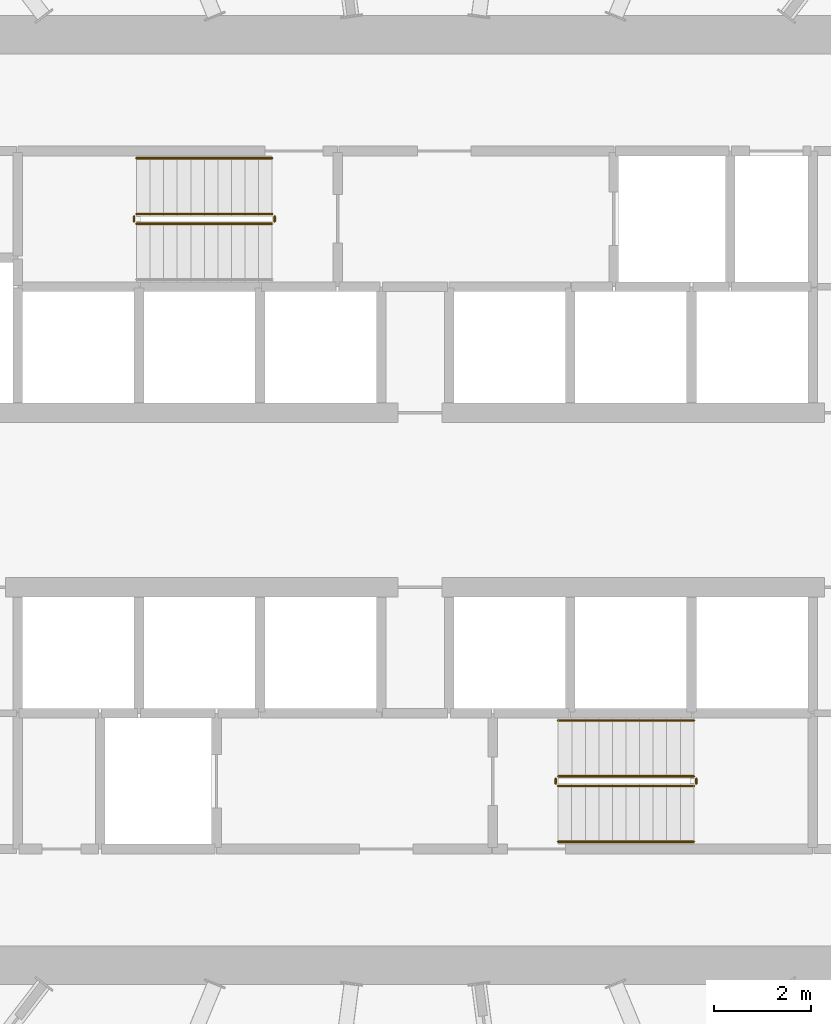
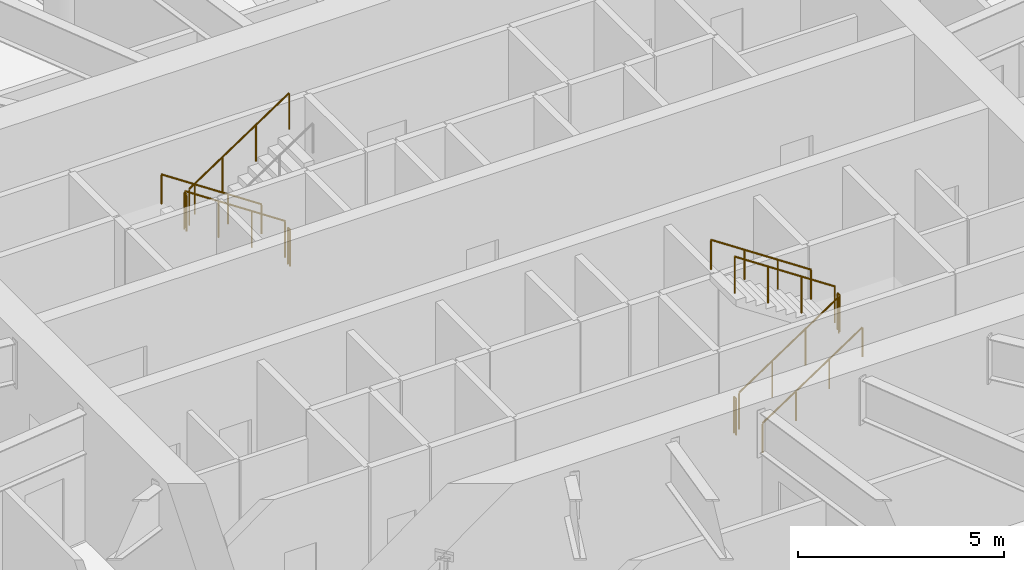
# One storey, part 32 of 33: 11 railings.
"""IFC4 building model written with IfcOpenShell, lengths in metres."""

import ifcopenshell
import ifcopenshell.guid

model = None  # the IFC model being written
_history = None  # IfcOwnerHistory: only IFC2X3 demands one
_inside = {}  # id of a spatial element -> (the spatial element, [elements in it])
_under = {}  # id of a project, library or spatial element -> (it, [spatial elements below it])
_declared = {}  # id of a project -> (the project, [libraries it declares])
_typed = {}  # id of a type object -> (the type object, [elements of that type])
_made_of = {}  # id of a material, layer set ... -> (it, [elements and type objects made of it])


def new_model(schema):
    """Start an empty IFC model of exactly this schema.

    Asked for "IFC4X3", IfcOpenShell would pick the latest addendum, in which some entities
    have other attributes; the version numbers below select the first issue.
    IFC2X3 requires an IfcOwnerHistory on every rooted entity: one is made here for all.
    """
    global model, _history
    if schema == "IFC4X3":
        model = ifcopenshell.file(schema_version=(4, 3, 0, 0))
    else:
        model = ifcopenshell.file(schema=schema)
    _inside.clear()
    _under.clear()
    _declared.clear()
    _typed.clear()
    _made_of.clear()
    _history = None
    if model.schema == "IFC2X3":
        org = make("IfcOrganization", Name="unknown")
        user = make(
            "IfcPersonAndOrganization",
            ThePerson=make("IfcPerson", FamilyName="unknown"),
            TheOrganization=org,
        )
        app = make(
            "IfcApplication",
            ApplicationDeveloper=org,
            Version="unknown",
            ApplicationFullName="unknown",
            ApplicationIdentifier="unknown",
        )
        _history = make(
            "IfcOwnerHistory",
            OwningUser=user,
            OwningApplication=app,
            ChangeAction="ADDED",
            CreationDate=0,
        )
    return model


def make(cls, **values):
    """One entity of the class cls with the attributes given. An attribute that is None is left unset."""
    return model.create_entity(
        cls, **{name: value for name, value in values.items() if value is not None}
    )


def rooted(cls, **values):
    """An entity with a GlobalId (a new one), such as an element, a storey or a relation."""
    return make(cls, GlobalId=ifcopenshell.guid.new(), OwnerHistory=_history, **values)


def si_unit(unit_type, name, prefix=None):
    """IfcSIUnit, for example si_unit("LENGTHUNIT", "METRE", prefix="MILLI")."""
    return make("IfcSIUnit", UnitType=unit_type, Prefix=prefix, Name=name)


def assignment(units):
    """IfcUnitAssignment: the units of a project."""
    return None if units is None else make("IfcUnitAssignment", Units=units)


def point(xyz):
    """IfcCartesianPoint."""
    return None if xyz is None else make("IfcCartesianPoint", Coordinates=xyz)


def direction(xyz):
    """IfcDirection."""
    return None if xyz is None else make("IfcDirection", DirectionRatios=xyz)


def frame(location, z_axis=None, x_axis=None):
    """IfcAxis2Placement3D, a coordinate frame: its origin and axes. An axis left out is left unset."""
    return make(
        "IfcAxis2Placement3D",
        Location=point(location),
        Axis=direction(z_axis),
        RefDirection=direction(x_axis),
    )


def frame_2d(location, x_axis=None):
    """IfcAxis2Placement2D, a coordinate frame in the plane: its origin and x axis."""
    return make(
        "IfcAxis2Placement2D", Location=point(location), RefDirection=direction(x_axis)
    )


def origin():
    """The frame at (0, 0, 0) with its axes left unset."""
    return frame((0.0, 0.0, 0.0))


def origin_2d():
    """The frame at (0, 0) in the plane with its x axis left unset."""
    return frame_2d((0.0, 0.0))


def place(relative_to, where):
    """IfcLocalPlacement: puts the frame where relative to a parent placement (None: the world)."""
    return make(
        "IfcLocalPlacement", PlacementRelTo=relative_to, RelativePlacement=where
    )


def context(
    kind, dimensions, precision=None, world=None, true_north=None, identifier=None
):
    """IfcGeometricRepresentationContext, for example the 3D "Model" context."""
    return make(
        "IfcGeometricRepresentationContext",
        ContextIdentifier=identifier,
        ContextType=kind,
        CoordinateSpaceDimension=dimensions,
        Precision=precision,
        WorldCoordinateSystem=world,
        TrueNorth=true_north,
    )


def subcontext(parent, identifier, kind, view, scale=None):
    """IfcGeometricRepresentationSubContext, for example "Body" below "Model"."""
    return make(
        "IfcGeometricRepresentationSubContext",
        ContextIdentifier=identifier,
        ContextType=kind,
        ParentContext=parent,
        TargetScale=scale,
        TargetView=view,
    )


def project(units=None, contexts=None):
    """IfcProject with its units and contexts."""
    return rooted(
        "IfcProject",
        Name="project",
        RepresentationContexts=contexts,
        UnitsInContext=assignment(units),
    )


def spatial(cls, under=None, at=None, **own):
    """A site, building, storey or space (cls), placed at a placement, below another one or the project."""
    s = rooted(cls, ObjectPlacement=at, **own)
    if under is not None:
        _under.setdefault(under.id(), (under, []))[1].append(s)
    return s


def profile(cls, at=None, kind="AREA", **sizes):
    """A parametric profile (cls). Its sizes go by their IFC names, for example OverallWidth=200.0."""
    return make(cls, ProfileType=kind, Position=at, **sizes)


def circle(**sizes):
    """IfcCircleProfileDef."""
    return profile("IfcCircleProfileDef", **sizes)


def extrude(swept, where, along, depth):
    """IfcExtrudedAreaSolid: the profile swept, set in the frame where, extruded along a direction by depth."""
    return make(
        "IfcExtrudedAreaSolid",
        SweptArea=swept,
        Position=where,
        ExtrudedDirection=direction(along),
        Depth=depth,
    )


def shape(context_of_items, identifier, shape_type, items):
    """IfcShapeRepresentation: the items that make up one representation, for example the "Body"."""
    return make(
        "IfcShapeRepresentation",
        ContextOfItems=context_of_items,
        RepresentationIdentifier=identifier,
        RepresentationType=shape_type,
        Items=items,
    )


def material(Name=None, Category=None):
    """IfcMaterial."""
    return make("IfcMaterial", Name=Name, Category=Category)


def made_of(thing, what):
    """Note that an element or type object is made of a material, layer set ...; save() writes the relation."""
    if what is not None:
        _made_of.setdefault(what.id(), (what, []))[1].append(thing)
    return thing


def type_object(cls, material=None, **own):
    """A type object (cls), such as IfcWallType, which elements share."""
    return made_of(rooted(cls, **own), material)


def element(
    cls,
    number,
    at=None,
    inside=None,
    cuts=None,
    type_object=None,
    material=None,
    context=None,
    identifier="Body",
    shape_type=None,
    held_by="IfcProductDefinitionShape",
    body=None,
    shapes=None,
    **own,
):
    """One element of the class cls, such as IfcWall. Its Tag is "e" and its number.

    at: its placement. inside: the storey or other place that contains it. cuts: it is an
    opening in that element (IfcRelVoidsElement). A single representation is given by context,
    identifier, shape_type and body (its items); several are given by shapes. held_by: the class
    of the entity that holds the representations. save() writes the other relations.
    """
    e = rooted(cls, Tag="e%d" % number, ObjectPlacement=at, **own)
    if body is not None:
        shapes = [shape(context, identifier, shape_type, body)]
    if shapes is not None:
        e.Representation = make(held_by, Representations=shapes)
    if inside is not None:
        _inside.setdefault(inside.id(), (inside, []))[1].append(e)
    if cuts is not None:
        rooted(
            "IfcRelVoidsElement", RelatingBuildingElement=cuts, RelatedOpeningElement=e
        )
    if type_object is not None:
        _typed.setdefault(type_object.id(), (type_object, []))[1].append(e)
    return made_of(e, material)


def aggregate(whole, parts):
    """IfcRelAggregates: a whole, such as a stair, and the parts it consists of."""
    return rooted("IfcRelAggregates", RelatingObject=whole, RelatedObjects=parts)


def save(model, path):
    """Write the relations noted so far, then the file.

    IfcRelAggregates (storeys below a building ...), IfcRelContainedInSpatialStructure (elements
    in a storey), IfcRelDefinesByType, IfcRelAssociatesMaterial and IfcRelDeclares: one each for
    every whole, place, type object, material and project.
    """
    for whole, parts in _under.values():
        aggregate(whole, parts)
    for where, things in _inside.values():
        rooted(
            "IfcRelContainedInSpatialStructure",
            RelatedElements=things,
            RelatingStructure=where,
        )
    for kind, things in _typed.values():
        rooted("IfcRelDefinesByType", RelatedObjects=things, RelatingType=kind)
    for what, things in _made_of.values():
        rooted("IfcRelAssociatesMaterial", RelatedObjects=things, RelatingMaterial=what)
    for by, libraries in _declared.values():
        rooted("IfcRelDeclares", RelatingContext=by, RelatedDefinitions=libraries)
    model.write(path)


model = new_model("IFC4")

# Units and contexts
model_context = context("Model", 3, precision=1e-05, world=origin(), true_north=direction((0.0, 1.0)))
body_context = subcontext(model_context, "Body", "Model", "MODEL_VIEW")
ifc_project = project(units=[si_unit("LENGTHUNIT", "METRE"), si_unit("AREAUNIT", "SQUARE_METRE"), si_unit("VOLUMEUNIT", "CUBIC_METRE"), si_unit("PLANEANGLEUNIT", "RADIAN"), si_unit("MASSUNIT", "GRAM", prefix="KILO")], contexts=[model_context])

# Site, building, storey
site_placement = place(None, origin())
site = spatial("IfcSite", under=ifc_project, at=site_placement, CompositionType="ELEMENT")
building_placement = place(site_placement, origin())
building = spatial("IfcBuilding", under=site, at=building_placement, Name="Spindrift Exchange Tower", CompositionType="ELEMENT")
storey_placement = place(building_placement, frame((0.0, 0.0, 129.0)))
storey = spatial("IfcBuildingStorey", under=building, at=storey_placement, Name="L30", CompositionType="ELEMENT", Elevation=129.0)

# Railings
ifc_material_1 = material(Name="Steel balustrade", Category="steel")
railing_type_1 = type_object("IfcRailingType", Name="RL-STAIR-GUARD", PredefinedType="GUARDRAIL", material=ifc_material_1)
railing_1_placement = place(storey_placement, frame((49.050048828125, 53.89990234375, 0.186279296875)))
element("IfcRailing", 1, at=railing_1_placement, inside=storey, type_object=railing_type_1, Name="L30 ST1 stair guard 1", PredefinedType="GUARDRAIL", context=body_context, shape_type="SweptSolid", body=[
    extrude(circle(Radius=0.02392578125, at=origin_2d()), frame((0.0, 0.0, 1.076171875), z_axis=(-0.832452072856, 0.0, 0.554097055034), x_axis=(0.0, -1.0, 0.0)), (0.0, 0.0, 1.0), 3.363525390625),
    extrude(circle(Radius=0.02099609375, at=origin_2d()), origin(), (0.0, 0.0, 1.0), 1.052001953125),
    extrude(circle(Radius=0.02099609375, at=origin_2d()), frame((-0.933349609375, 0.0, 0.621337890625)), (0.0, 0.0, 1.0), 1.052001953125),
    extrude(circle(Radius=0.02099609375, at=origin_2d()), frame((-1.86669921875, 0.0, 1.242431640625)), (0.0, 0.0, 1.0), 1.052001953125),
    extrude(circle(Radius=0.02099609375, at=origin_2d()), frame((-2.800048828125, 0.0, 1.86376953125)), (0.0, 0.0, 1.0), 1.052001953125),
])
railing_2_placement = place(storey_placement, frame((46.199951171875, 53.85009765625, 2.050048828125)))
element("IfcRailing", 2, at=railing_2_placement, inside=storey, type_object=railing_type_1, Name="L30 ST1 stair guard 2", PredefinedType="GUARDRAIL", context=body_context, shape_type="SweptSolid", body=[
    extrude(circle(Radius=0.02392578125, at=origin_2d()), frame((0.0, 0.0, 1.076171875), z_axis=(0.0, -1.0, 0.0), x_axis=(1.0, 0.0, 0.0)), (0.0, 0.0, 1.0), 0.10009765625),
    extrude(circle(Radius=0.02099609375, at=origin_2d()), origin(), (0.0, 0.0, 1.0), 1.052001953125),
    extrude(circle(Radius=0.02099609375, at=origin_2d()), frame((0.0, -0.10009765625, 0.0)), (0.0, 0.0, 1.0), 1.052001953125),
])
railing_3_placement = place(storey_placement, frame((46.25, 53.699951171875, 2.236328125)))
element("IfcRailing", 3, at=railing_3_placement, inside=storey, type_object=railing_type_1, Name="L30 ST1 stair guard 3", PredefinedType="GUARDRAIL", context=body_context, shape_type="SweptSolid", body=[
    extrude(circle(Radius=0.02392578125, at=origin_2d()), frame((0.0, 0.0, 1.076171875), z_axis=(0.832452072856, 0.0, 0.554097055034), x_axis=(0.0, 1.0, 0.0)), (0.0, 0.0, 1.0), 3.363525390625),
    extrude(circle(Radius=0.02099609375, at=origin_2d()), origin(), (0.0, 0.0, 1.0), 1.052001953125),
    extrude(circle(Radius=0.02099609375, at=origin_2d()), frame((0.933349609375, 0.0, 0.621337890625)), (0.0, 0.0, 1.0), 1.052001953125),
    extrude(circle(Radius=0.02099609375, at=origin_2d()), frame((1.86669921875, 0.0, 1.242431640625)), (0.0, 0.0, 1.0), 1.052001953125),
    extrude(circle(Radius=0.02099609375, at=origin_2d()), frame((2.800048828125, 0.0, 1.86376953125)), (0.0, 0.0, 1.0), 1.052001953125),
])
railing_4_placement = place(storey_placement, frame((49.10009765625, 53.85009765625, 0.0)))
element("IfcRailing", 4, at=railing_4_placement, inside=storey, type_object=railing_type_1, Name="L30 ST1 stair guard 4", PredefinedType="GUARDRAIL", context=body_context, shape_type="SweptSolid", body=[
    extrude(circle(Radius=0.02392578125, at=origin_2d()), frame((0.0, 0.0, 1.076171875), z_axis=(0.0, -1.0, 0.0), x_axis=(1.0, 0.0, 0.0)), (0.0, 0.0, 1.0), 0.10009765625),
    extrude(circle(Radius=0.02099609375, at=origin_2d()), origin(), (0.0, 0.0, 1.0), 1.052001953125),
    extrude(circle(Radius=0.02099609375, at=origin_2d()), frame((0.0, -0.10009765625, 0.0)), (0.0, 0.0, 1.0), 1.052001953125),
])
railing_5_placement = place(storey_placement, frame((54.949951171875, 42.10009765625, 0.186279296875)))
element("IfcRailing", 5, at=railing_5_placement, inside=storey, type_object=railing_type_1, Name="L30 ST2 stair guard 1", PredefinedType="GUARDRAIL", context=body_context, shape_type="SweptSolid", body=[
    extrude(circle(Radius=0.02392578125, at=origin_2d()), frame((0.0, 0.0, 1.076171875), z_axis=(0.832452072856, 0.0, 0.554097055034), x_axis=(0.0, 1.0, 0.0)), (0.0, 0.0, 1.0), 3.363525390625),
    extrude(circle(Radius=0.02099609375, at=origin_2d()), origin(), (0.0, 0.0, 1.0), 1.052001953125),
    extrude(circle(Radius=0.02099609375, at=origin_2d()), frame((0.933349609375, 0.0, 0.621337890625)), (0.0, 0.0, 1.0), 1.052001953125),
    extrude(circle(Radius=0.02099609375, at=origin_2d()), frame((1.86669921875, 0.0, 1.242431640625)), (0.0, 0.0, 1.0), 1.052001953125),
    extrude(circle(Radius=0.02099609375, at=origin_2d()), frame((2.800048828125, 0.0, 1.86376953125)), (0.0, 0.0, 1.0), 1.052001953125),
])
railing_6_placement = place(storey_placement, frame((57.800048828125, 42.14990234375, 2.050048828125)))
element("IfcRailing", 6, at=railing_6_placement, inside=storey, type_object=railing_type_1, Name="L30 ST2 stair guard 2", PredefinedType="GUARDRAIL", context=body_context, shape_type="SweptSolid", body=[
    extrude(circle(Radius=0.02392578125, at=origin_2d()), frame((0.0, 0.0, 1.076171875), z_axis=(0.0, 1.0, 0.0), x_axis=(-1.0, 0.0, 0.0)), (0.0, 0.0, 1.0), 0.10009765625),
    extrude(circle(Radius=0.02099609375, at=origin_2d()), origin(), (0.0, 0.0, 1.0), 1.052001953125),
    extrude(circle(Radius=0.02099609375, at=origin_2d()), frame((0.0, 0.10009765625, 0.0)), (0.0, 0.0, 1.0), 1.052001953125),
])
railing_7_placement = place(storey_placement, frame((57.75, 42.300048828125, 2.236328125)))
element("IfcRailing", 7, at=railing_7_placement, inside=storey, type_object=railing_type_1, Name="L30 ST2 stair guard 3", PredefinedType="GUARDRAIL", context=body_context, shape_type="SweptSolid", body=[
    extrude(circle(Radius=0.02392578125, at=origin_2d()), frame((0.0, 0.0, 1.076171875), z_axis=(-0.832452072856, 0.0, 0.554097055034), x_axis=(0.0, -1.0, 0.0)), (0.0, 0.0, 1.0), 3.363525390625),
    extrude(circle(Radius=0.02099609375, at=origin_2d()), origin(), (0.0, 0.0, 1.0), 1.052001953125),
    extrude(circle(Radius=0.02099609375, at=origin_2d()), frame((-0.933349609375, 0.0, 0.621337890625)), (0.0, 0.0, 1.0), 1.052001953125),
    extrude(circle(Radius=0.02099609375, at=origin_2d()), frame((-1.86669921875, 0.0, 1.242431640625)), (0.0, 0.0, 1.0), 1.052001953125),
    extrude(circle(Radius=0.02099609375, at=origin_2d()), frame((-2.800048828125, 0.0, 1.86376953125)), (0.0, 0.0, 1.0), 1.052001953125),
])
railing_8_placement = place(storey_placement, frame((54.89990234375, 42.14990234375, 0.0)))
element("IfcRailing", 8, at=railing_8_placement, inside=storey, type_object=railing_type_1, Name="L30 ST2 stair guard 4", PredefinedType="GUARDRAIL", context=body_context, shape_type="SweptSolid", body=[
    extrude(circle(Radius=0.02392578125, at=origin_2d()), frame((0.0, 0.0, 1.076171875), z_axis=(0.0, 1.0, 0.0), x_axis=(-1.0, 0.0, 0.0)), (0.0, 0.0, 1.0), 0.10009765625),
    extrude(circle(Radius=0.02099609375, at=origin_2d()), origin(), (0.0, 0.0, 1.0), 1.052001953125),
    extrude(circle(Radius=0.02099609375, at=origin_2d()), frame((0.0, 0.10009765625, 0.0)), (0.0, 0.0, 1.0), 1.052001953125),
])
ifc_material_2 = material(Name="Steel tubular handrail", Category="steel")
railing_type_2 = type_object("IfcRailingType", Name="RL-STAIR-HAND", PredefinedType="HANDRAIL", material=ifc_material_2)
railing_9_placement = place(storey_placement, frame((49.050048828125, 55.050048828125, 0.186279296875)))
element("IfcRailing", 9, at=railing_9_placement, inside=storey, type_object=railing_type_2, Name="L30 ST1 stair handrail 1", PredefinedType="HANDRAIL", context=body_context, shape_type="SweptSolid", body=[
    extrude(circle(Radius=0.02392578125, at=origin_2d()), frame((0.0, 0.0, 0.8759765625), z_axis=(-0.832452072856, 0.0, 0.554097055034), x_axis=(0.0, -1.0, 0.0)), (0.0, 0.0, 1.0), 3.363525390625),
    extrude(circle(Radius=0.02099609375, at=origin_2d()), origin(), (0.0, 0.0, 1.0), 0.851806640625),
    extrude(circle(Radius=0.02099609375, at=origin_2d()), frame((-0.933349609375, 0.0, 0.621337890625)), (0.0, 0.0, 1.0), 0.851806640625),
    extrude(circle(Radius=0.02099609375, at=origin_2d()), frame((-1.86669921875, 0.0, 1.242431640625)), (0.0, 0.0, 1.0), 0.851806640625),
    extrude(circle(Radius=0.02099609375, at=origin_2d()), frame((-2.800048828125, 0.0, 1.86376953125)), (0.0, 0.0, 1.0), 0.851806640625),
])
railing_10_placement = place(storey_placement, frame((54.949951171875, 40.949951171875, 0.186279296875)))
element("IfcRailing", 10, at=railing_10_placement, inside=storey, type_object=railing_type_2, Name="L30 ST2 stair handrail 1", PredefinedType="HANDRAIL", context=body_context, shape_type="SweptSolid", body=[
    extrude(circle(Radius=0.02392578125, at=origin_2d()), frame((0.0, 0.0, 0.8759765625), z_axis=(0.832452072856, 0.0, 0.554097055034), x_axis=(0.0, 1.0, 0.0)), (0.0, 0.0, 1.0), 3.363525390625),
    extrude(circle(Radius=0.02099609375, at=origin_2d()), origin(), (0.0, 0.0, 1.0), 0.851806640625),
    extrude(circle(Radius=0.02099609375, at=origin_2d()), frame((0.933349609375, 0.0, 0.621337890625)), (0.0, 0.0, 1.0), 0.851806640625),
    extrude(circle(Radius=0.02099609375, at=origin_2d()), frame((1.86669921875, 0.0, 1.242431640625)), (0.0, 0.0, 1.0), 0.851806640625),
    extrude(circle(Radius=0.02099609375, at=origin_2d()), frame((2.800048828125, 0.0, 1.86376953125)), (0.0, 0.0, 1.0), 0.851806640625),
])
railing_11_placement = place(storey_placement, frame((57.75, 43.449951171875, 2.236328125)))
element("IfcRailing", 11, at=railing_11_placement, inside=storey, type_object=railing_type_2, Name="L30 ST2 stair handrail 2", PredefinedType="HANDRAIL", context=body_context, shape_type="SweptSolid", body=[
    extrude(circle(Radius=0.02392578125, at=origin_2d()), frame((0.0, 0.0, 0.8759765625), z_axis=(-0.832452072856, 0.0, 0.554097055034), x_axis=(0.0, -1.0, 0.0)), (0.0, 0.0, 1.0), 3.363525390625),
    extrude(circle(Radius=0.02099609375, at=origin_2d()), origin(), (0.0, 0.0, 1.0), 0.851806640625),
    extrude(circle(Radius=0.02099609375, at=origin_2d()), frame((-0.933349609375, 0.0, 0.621337890625)), (0.0, 0.0, 1.0), 0.851806640625),
    extrude(circle(Radius=0.02099609375, at=origin_2d()), frame((-1.86669921875, 0.0, 1.242431640625)), (0.0, 0.0, 1.0), 0.851806640625),
    extrude(circle(Radius=0.02099609375, at=origin_2d()), frame((-2.800048828125, 0.0, 1.86376953125)), (0.0, 0.0, 1.0), 0.851806640625),
])

save(model, "model.ifc")
